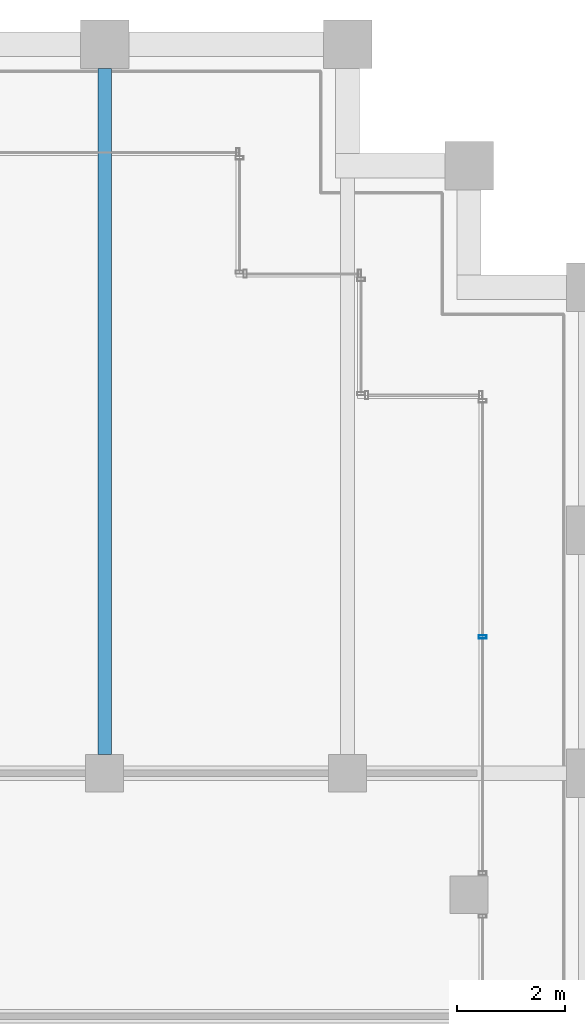
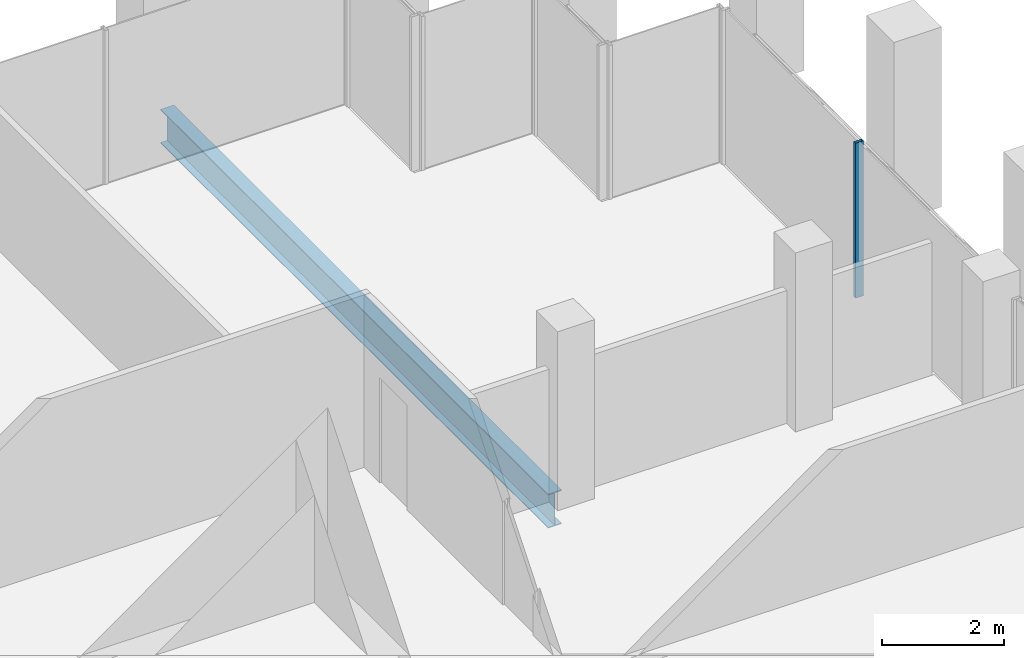
# One storey, part 24 of 40: 1 beam, 1 member, 1 element without a shape of its own.
"""IFC4 building model written with IfcOpenShell, lengths in metres."""

from ifc_helpers import new_model, si_unit, direction, frame, origin, origin_2d, place, context, subcontext, project, spatial, hollow_rectangle, i_section, extrude, material, material_profile, profile_set, type_object, element, aggregate, save


model = new_model("IFC4")

# Units and contexts
model_context = context("Model", 3, precision=1e-05, world=origin(), true_north=direction((0.0, 1.0)))
body_context = subcontext(model_context, "Body", "Model", "MODEL_VIEW")
ifc_project = project(units=[si_unit("LENGTHUNIT", "METRE"), si_unit("AREAUNIT", "SQUARE_METRE"), si_unit("VOLUMEUNIT", "CUBIC_METRE"), si_unit("PLANEANGLEUNIT", "RADIAN"), si_unit("MASSUNIT", "GRAM", prefix="KILO")], contexts=[model_context])

# Site, building, storey
site_placement = place(None, origin())
site = spatial("IfcSite", under=ifc_project, at=site_placement, CompositionType="ELEMENT")
building_placement = place(site_placement, origin())
building = spatial("IfcBuilding", under=site, at=building_placement, Name="Altepetl Exchange Towers", CompositionType="ELEMENT")
storey_placement = place(building_placement, frame((0.0, 0.0, 151.0)))
storey = spatial("IfcBuildingStorey", under=building, at=storey_placement, Name="L37", CompositionType="ELEMENT", Elevation=151.0)

# Beam
ifc_material_1 = material(Name="Steel S355", Category="steel")
ifc_material_profile_1 = material_profile(ifc_material_1, i_section(OverallWidth=0.25390625, OverallDepth=0.68408203125, WebThickness=0.012451171875, FlangeThickness=0.018798828125, at=origin_2d()), Name="W27X94")
ifc_profile_set_1 = profile_set([ifc_material_profile_1], Name="Steel S355")
beam_type = type_object("IfcBeamType", Name="Floor beam W27X94", PredefinedType="BEAM", material=ifc_profile_set_1)
beam_placement = place(storey_placement, frame((63.0, 58.85009765625, -0.491943359375), z_axis=(0.0, 1.0, 0.0), x_axis=(-1.0, 0.0, 0.0)))
element("IfcBeam", 1, at=beam_placement, inside=storey, type_object=beam_type, Name="bm:A:L37:004", PredefinedType="BEAM", context=body_context, shape_type="SweptSolid", body=[
    extrude(i_section(OverallWidth=0.25390625, OverallDepth=0.68408203125, WebThickness=0.012451171875, FlangeThickness=0.018798828125, at=origin_2d()), origin(), (0.0, 0.0, 1.0), 12.699951171875),
])

# Curtain wall, member
ifc_material_2 = material(Name="Aluminium 6063-T6 glazing", Category="aluminium")
curtain_wall_type = type_object("IfcCurtainWallType", Name="Loggia glazing system", PredefinedType="NOTDEFINED", material=ifc_material_2)
curtain_wall_placement = place(storey_placement, origin())
curtain_wall = element("IfcCurtainWall", 2, at=curtain_wall_placement, inside=storey, type_object=curtain_wall_type, Name="CW1 run", PredefinedType="NOTDEFINED")
ifc_material_3 = material(Name="Aluminium 6063-T6", Category="aluminium")
ifc_material_profile_2 = material_profile(ifc_material_3, hollow_rectangle(XDim=0.06005859375, YDim=0.14990234375, WallThickness=0.0029296875, at=origin_2d()), Name="Mullion 60x150 aluminium")
ifc_profile_set_2 = profile_set([ifc_material_profile_2], Name="Aluminium 6063-T6")
member_type = type_object("IfcMemberType", Name="Mullion 60x150 aluminium", PredefinedType="MULLION", material=ifc_profile_set_2)
member_placement = place(storey_placement, frame((70.0, 61.0224609375, 0.0), z_axis=(0.0, 0.0, 1.0), x_axis=(0.0, 1.0, 0.0)))
member = element("IfcMember", 3, at=member_placement, type_object=member_type, Name="MU1 mullion", PredefinedType="MULLION", context=body_context, shape_type="SweptSolid", body=[
    extrude(hollow_rectangle(XDim=0.06005859375, YDim=0.14990234375, WallThickness=0.0029296875, at=origin_2d()), origin(), (0.0, 0.0, 1.0), 3.10009765625),
])
aggregate(curtain_wall, [member])

save(model, "model.ifc")
